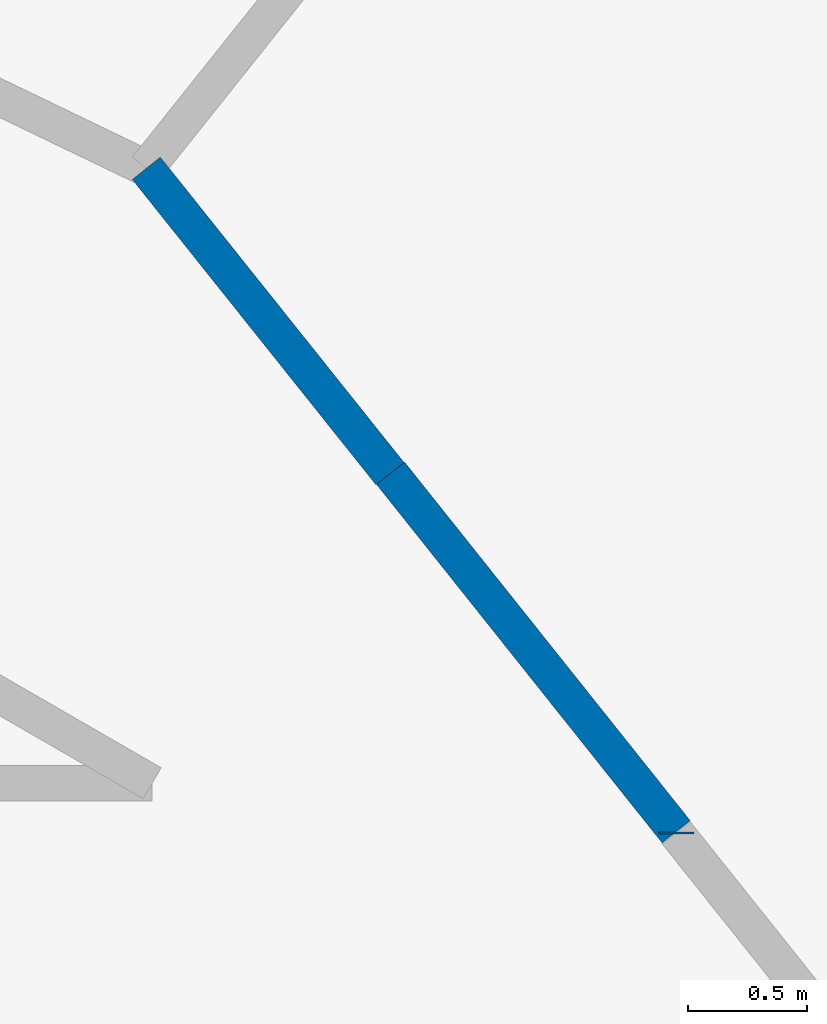
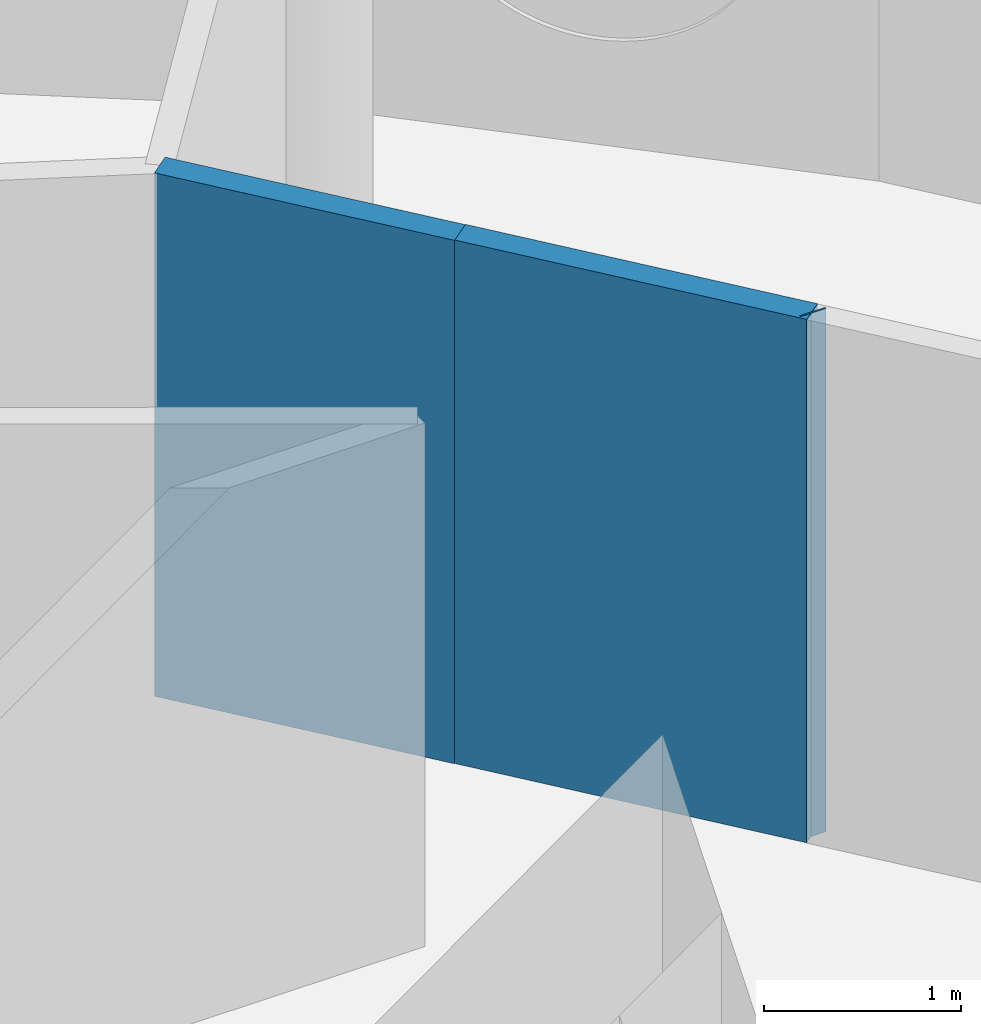
# One storey, part 8 of 12: 3 walls.
"""IFC4 building model written with IfcOpenShell, lengths in metres."""

from ifc_helpers import new_model, si_unit, direction, frame, frame_2d, origin, place, context, subcontext, project, spatial, rectangle, extrude, material, layer, layer_set, type_object, element, save


model = new_model("IFC4")

# Units and contexts
model_context = context("Model", 3, precision=1e-05, world=origin(), true_north=direction((0.0, 1.0)))
body_context = subcontext(model_context, "Body", "Model", "MODEL_VIEW")
ifc_project = project(units=[si_unit("LENGTHUNIT", "METRE"), si_unit("AREAUNIT", "SQUARE_METRE"), si_unit("VOLUMEUNIT", "CUBIC_METRE"), si_unit("PLANEANGLEUNIT", "RADIAN"), si_unit("MASSUNIT", "GRAM", prefix="KILO")], contexts=[model_context])

# Site, building, storey
site_placement = place(None, origin())
site = spatial("IfcSite", under=ifc_project, at=site_placement, CompositionType="ELEMENT")
building_placement = place(site_placement, origin())
building = spatial("IfcBuilding", under=site, at=building_placement, Name="Tracery Tower", CompositionType="ELEMENT")
storey_placement = place(building_placement, frame((0.0, 0.0, 323.39990234375)))
storey = spatial("IfcBuildingStorey", under=building, at=storey_placement, Name="L84", CompositionType="ELEMENT", Elevation=323.39990234375)

# Walls
ifc_material = material(Name="Plasterboard on steel studs", Category="steel")
ifc_layer = layer(ifc_material, 0.14990234375)
ifc_layer_set = layer_set([ifc_layer], Name="Partition 150 corridor wall")
wall_type = type_object("IfcWallType", Name="Partition 150 corridor wall", PredefinedType="PARTITIONING", material=ifc_layer_set)
wall_1_placement = place(storey_placement, frame((10.10107421875, 10.10107421875, 0.0), z_axis=(0.0, 0.0, 1.0), x_axis=(0.623130947784, -0.782117524362, 0.0)))
element("IfcWall", 1, at=wall_1_placement, inside=storey, type_object=wall_type, Name="Corridor wall RC10-005", PredefinedType="PARTITIONING", context=body_context, shape_type="SweptSolid", body=[
    extrude(rectangle(XDim=1.924072265625, YDim=0.14990234375, at=frame_2d((0.9619140625, 0.0))), origin(), (0.0, 0.0, 1.0), 3.25),
])
wall_2_placement = place(storey_placement, frame((11.300048828125, 8.5859375, 0.0), z_axis=(0.0, 0.0, 1.0), x_axis=(0.0, 1.0, 0.0)))
element("IfcWall", 2, at=wall_2_placement, inside=storey, type_object=wall_type, Name="Corridor wall RC10-007", PredefinedType="PARTITIONING", context=body_context, shape_type="SweptSolid", body=[
    extrude(rectangle(XDim=0.01025390625, YDim=0.14990234375, at=frame_2d((0.005126953125, 0.0))), origin(), (0.0, 0.0, 1.0), 3.25),
])
wall_3_placement = place(storey_placement, frame((9.075927734375, 11.381103515625, 0.0), z_axis=(0.0, 0.0, 1.0), x_axis=(0.623805208652, -0.781579849829, 0.0)))
element("IfcWall", 3, at=wall_3_placement, inside=storey, type_object=wall_type, Name="Corridor wall RC10-025", PredefinedType="PARTITIONING", context=body_context, shape_type="SweptSolid", body=[
    extrude(rectangle(XDim=1.64013671875, YDim=0.14990234375, at=frame_2d((0.820068359375, 0.0))), origin(), (0.0, 0.0, 1.0), 3.25),
])

save(model, "model.ifc")
